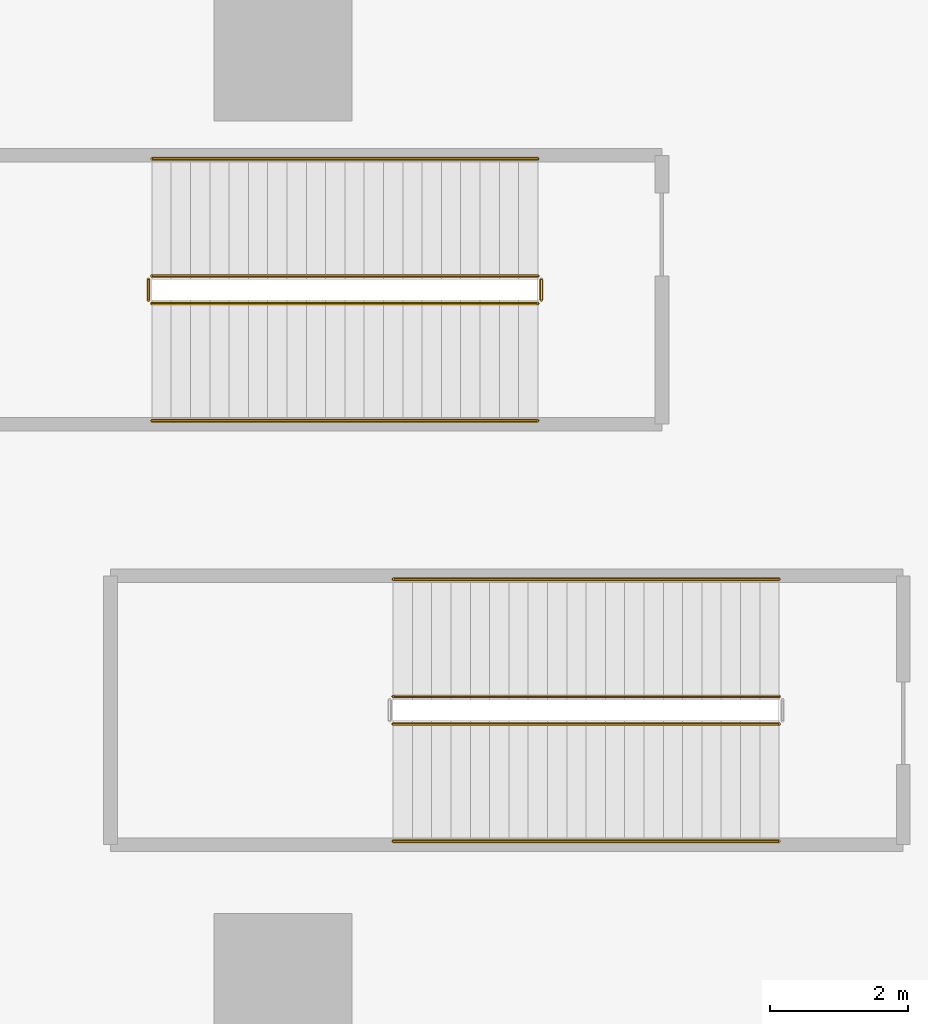
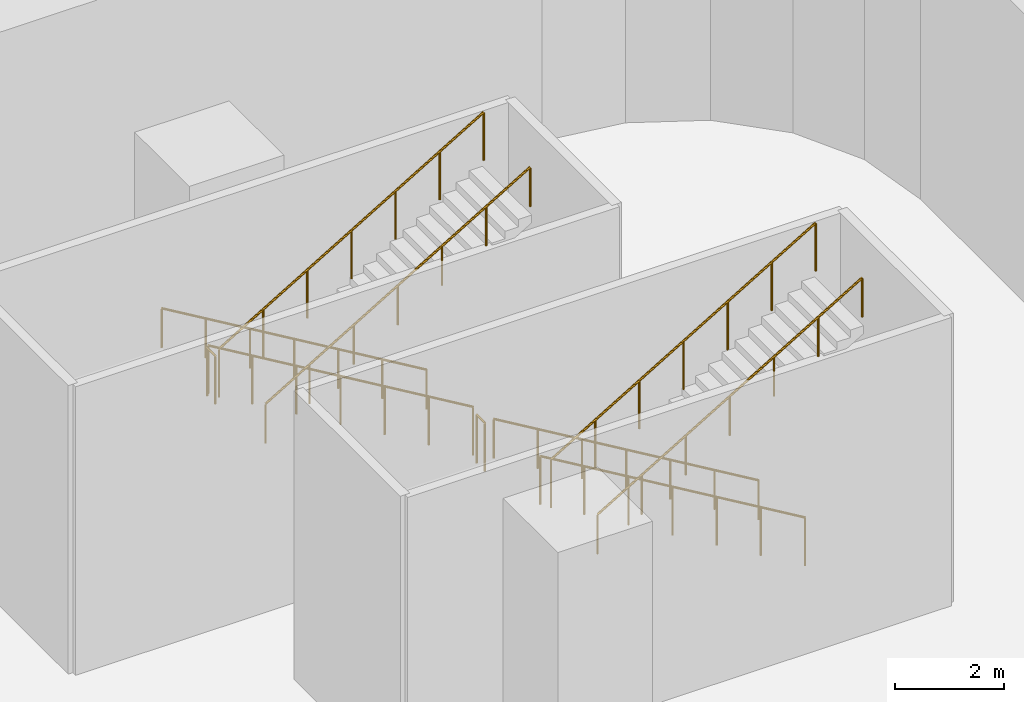
# One storey, part 35 of 37: 10 railings.
"""IFC4 building model written with IfcOpenShell, lengths in metres."""

from ifc_helpers import new_model, si_unit, direction, frame, origin, origin_2d, place, context, subcontext, project, spatial, circle, extrude, material, type_object, element, save


model = new_model("IFC4")

# Units and contexts
model_context = context("Model", 3, precision=1e-05, world=origin(), true_north=direction((0.0, 1.0)))
body_context = subcontext(model_context, "Body", "Model", "MODEL_VIEW")
ifc_project = project(units=[si_unit("LENGTHUNIT", "METRE"), si_unit("AREAUNIT", "SQUARE_METRE"), si_unit("VOLUMEUNIT", "CUBIC_METRE"), si_unit("PLANEANGLEUNIT", "RADIAN"), si_unit("MASSUNIT", "GRAM", prefix="KILO")], contexts=[model_context])

# Site, building, storey
site_placement = place(None, origin())
site = spatial("IfcSite", under=ifc_project, at=site_placement, CompositionType="ELEMENT")
building_placement = place(site_placement, origin())
building = spatial("IfcBuilding", under=site, at=building_placement, Name="Tamarind Cross Interchange Tower", CompositionType="ELEMENT")
storey_placement = place(building_placement, frame((0.0, 0.0, -7.0)))
storey = spatial("IfcBuildingStorey", under=building, at=storey_placement, Name="B1", CompositionType="ELEMENT", Elevation=-7.0)

# Railings
ifc_material_1 = material(Name="Public stair guard")
railing_type_1 = type_object("IfcRailingType", Name="Public stair guard", PredefinedType="GUARDRAIL", material=ifc_material_1)
railing_1_placement = place(storey_placement, frame((57.699951171875, 50.75, 0.166748046875)))
element("IfcRailing", 1, at=railing_1_placement, inside=storey, type_object=railing_type_1, Name="B1 XS-P01 stair guard 1", PredefinedType="GUARDRAIL", context=body_context, shape_type="SweptSolid", body=[
    extrude(circle(Radius=0.02392578125, at=origin_2d()), frame((0.0, 0.0, 1.076171875), z_axis=(-0.859292492371, 0.0, 0.511484518392), x_axis=(0.0, -1.0, 0.0)), (0.0, 0.0, 1.0), 6.516845703125),
    extrude(circle(Radius=0.02099609375, at=origin_2d()), origin(), (0.0, 0.0, 1.0), 1.052001953125),
    extrude(circle(Radius=0.02099609375, at=origin_2d()), frame((-0.933349609375, 0.0, 0.5556640625)), (0.0, 0.0, 1.0), 1.052001953125),
    extrude(circle(Radius=0.02099609375, at=origin_2d()), frame((-1.86669921875, 0.0, 1.111083984375)), (0.0, 0.0, 1.0), 1.052001953125),
    extrude(circle(Radius=0.02099609375, at=origin_2d()), frame((-2.7998046875, 0.0, 1.66650390625)), (0.0, 0.0, 1.0), 1.052001953125),
    extrude(circle(Radius=0.02099609375, at=origin_2d()), frame((-3.733154296875, 0.0, 2.22216796875)), (0.0, 0.0, 1.0), 1.052001953125),
    extrude(circle(Radius=0.02099609375, at=origin_2d()), frame((-4.66650390625, 0.0, 2.77783203125)), (0.0, 0.0, 1.0), 1.052001953125),
    extrude(circle(Radius=0.02099609375, at=origin_2d()), frame((-5.599853515625, 0.0, 3.333251953125)), (0.0, 0.0, 1.0), 1.052001953125),
])
railing_2_placement = place(storey_placement, frame((52.050048828125, 50.699951171875, 3.5)))
element("IfcRailing", 2, at=railing_2_placement, inside=storey, type_object=railing_type_1, Name="B1 XS-P01 stair guard 2", PredefinedType="GUARDRAIL", context=body_context, shape_type="SweptSolid", body=[
    extrude(circle(Radius=0.02392578125, at=origin_2d()), frame((0.0, 0.0, 1.076171875), z_axis=(0.0, -1.0, 0.0), x_axis=(1.0, 0.0, 0.0)), (0.0, 0.0, 1.0), 0.300048828125),
    extrude(circle(Radius=0.02099609375, at=origin_2d()), origin(), (0.0, 0.0, 1.0), 1.052001953125),
    extrude(circle(Radius=0.02099609375, at=origin_2d()), frame((0.0, -0.300048828125, 0.0)), (0.0, 0.0, 1.0), 1.052001953125),
])
railing_3_placement = place(storey_placement, frame((52.10009765625, 50.35009765625, 3.666748046875)))
element("IfcRailing", 3, at=railing_3_placement, inside=storey, type_object=railing_type_1, Name="B1 XS-P01 stair guard 3", PredefinedType="GUARDRAIL", context=body_context, shape_type="SweptSolid", body=[
    extrude(circle(Radius=0.02392578125, at=origin_2d()), frame((0.0, 0.0, 1.076171875), z_axis=(0.859292492371, 0.0, 0.511484518392), x_axis=(0.0, 1.0, 0.0)), (0.0, 0.0, 1.0), 6.516845703125),
    extrude(circle(Radius=0.02099609375, at=origin_2d()), origin(), (0.0, 0.0, 1.0), 1.052001953125),
    extrude(circle(Radius=0.02099609375, at=origin_2d()), frame((0.933349609375, 0.0, 0.5556640625)), (0.0, 0.0, 1.0), 1.052001953125),
    extrude(circle(Radius=0.02099609375, at=origin_2d()), frame((1.86669921875, 0.0, 1.111083984375)), (0.0, 0.0, 1.0), 1.052001953125),
    extrude(circle(Radius=0.02099609375, at=origin_2d()), frame((2.7998046875, 0.0, 1.66650390625)), (0.0, 0.0, 1.0), 1.052001953125),
    extrude(circle(Radius=0.02099609375, at=origin_2d()), frame((3.733154296875, 0.0, 2.22216796875)), (0.0, 0.0, 1.0), 1.052001953125),
    extrude(circle(Radius=0.02099609375, at=origin_2d()), frame((4.66650390625, 0.0, 2.77783203125)), (0.0, 0.0, 1.0), 1.052001953125),
    extrude(circle(Radius=0.02099609375, at=origin_2d()), frame((5.599853515625, 0.0, 3.333251953125)), (0.0, 0.0, 1.0), 1.052001953125),
])
railing_4_placement = place(storey_placement, frame((57.75, 50.699951171875, 0.0)))
element("IfcRailing", 4, at=railing_4_placement, inside=storey, type_object=railing_type_1, Name="B1 XS-P01 stair guard 4", PredefinedType="GUARDRAIL", context=body_context, shape_type="SweptSolid", body=[
    extrude(circle(Radius=0.02392578125, at=origin_2d()), frame((0.0, 0.0, 1.076171875), z_axis=(0.0, -1.0, 0.0), x_axis=(1.0, 0.0, 0.0)), (0.0, 0.0, 1.0), 0.300048828125),
    extrude(circle(Radius=0.02099609375, at=origin_2d()), origin(), (0.0, 0.0, 1.0), 1.052001953125),
    extrude(circle(Radius=0.02099609375, at=origin_2d()), frame((0.0, -0.300048828125, 0.0)), (0.0, 0.0, 1.0), 1.052001953125),
])
railing_5_placement = place(storey_placement, frame((61.199951171875, 44.64990234375, 0.166748046875)))
element("IfcRailing", 5, at=railing_5_placement, inside=storey, type_object=railing_type_1, Name="B1 XS-P02 stair guard 1", PredefinedType="GUARDRAIL", context=body_context, shape_type="SweptSolid", body=[
    extrude(circle(Radius=0.02392578125, at=origin_2d()), frame((0.0, 0.0, 1.076171875), z_axis=(-0.859292492371, 0.0, 0.511484518392), x_axis=(0.0, -1.0, 0.0)), (0.0, 0.0, 1.0), 6.516845703125),
    extrude(circle(Radius=0.02099609375, at=origin_2d()), origin(), (0.0, 0.0, 1.0), 1.052001953125),
    extrude(circle(Radius=0.02099609375, at=origin_2d()), frame((-0.933349609375, 0.0, 0.5556640625)), (0.0, 0.0, 1.0), 1.052001953125),
    extrude(circle(Radius=0.02099609375, at=origin_2d()), frame((-1.86669921875, 0.0, 1.111083984375)), (0.0, 0.0, 1.0), 1.052001953125),
    extrude(circle(Radius=0.02099609375, at=origin_2d()), frame((-2.7998046875, 0.0, 1.66650390625)), (0.0, 0.0, 1.0), 1.052001953125),
    extrude(circle(Radius=0.02099609375, at=origin_2d()), frame((-3.733154296875, 0.0, 2.22216796875)), (0.0, 0.0, 1.0), 1.052001953125),
    extrude(circle(Radius=0.02099609375, at=origin_2d()), frame((-4.66650390625, 0.0, 2.77783203125)), (0.0, 0.0, 1.0), 1.052001953125),
    extrude(circle(Radius=0.02099609375, at=origin_2d()), frame((-5.599853515625, 0.0, 3.333251953125)), (0.0, 0.0, 1.0), 1.052001953125),
])
railing_6_placement = place(storey_placement, frame((55.60009765625, 44.25, 3.666748046875)))
element("IfcRailing", 6, at=railing_6_placement, inside=storey, type_object=railing_type_1, Name="B1 XS-P02 stair guard 3", PredefinedType="GUARDRAIL", context=body_context, shape_type="SweptSolid", body=[
    extrude(circle(Radius=0.02392578125, at=origin_2d()), frame((0.0, 0.0, 1.076171875), z_axis=(0.859292492371, 0.0, 0.511484518392), x_axis=(0.0, 1.0, 0.0)), (0.0, 0.0, 1.0), 6.516845703125),
    extrude(circle(Radius=0.02099609375, at=origin_2d()), origin(), (0.0, 0.0, 1.0), 1.052001953125),
    extrude(circle(Radius=0.02099609375, at=origin_2d()), frame((0.933349609375, 0.0, 0.5556640625)), (0.0, 0.0, 1.0), 1.052001953125),
    extrude(circle(Radius=0.02099609375, at=origin_2d()), frame((1.86669921875, 0.0, 1.111083984375)), (0.0, 0.0, 1.0), 1.052001953125),
    extrude(circle(Radius=0.02099609375, at=origin_2d()), frame((2.7998046875, 0.0, 1.66650390625)), (0.0, 0.0, 1.0), 1.052001953125),
    extrude(circle(Radius=0.02099609375, at=origin_2d()), frame((3.733154296875, 0.0, 2.22216796875)), (0.0, 0.0, 1.0), 1.052001953125),
    extrude(circle(Radius=0.02099609375, at=origin_2d()), frame((4.66650390625, 0.0, 2.77783203125)), (0.0, 0.0, 1.0), 1.052001953125),
    extrude(circle(Radius=0.02099609375, at=origin_2d()), frame((5.599853515625, 0.0, 3.333251953125)), (0.0, 0.0, 1.0), 1.052001953125),
])
ifc_material_2 = material(Name="Public stair handrail")
railing_type_2 = type_object("IfcRailingType", Name="Public stair handrail", PredefinedType="HANDRAIL", material=ifc_material_2)
railing_7_placement = place(storey_placement, frame((57.699951171875, 52.449951171875, 0.166748046875)))
element("IfcRailing", 7, at=railing_7_placement, inside=storey, type_object=railing_type_2, Name="B1 XS-P01 stair handrail 1", PredefinedType="HANDRAIL", context=body_context, shape_type="SweptSolid", body=[
    extrude(circle(Radius=0.02392578125, at=origin_2d()), frame((0.0, 0.0, 0.8759765625), z_axis=(-0.859292492371, 0.0, 0.511484518392), x_axis=(0.0, -1.0, 0.0)), (0.0, 0.0, 1.0), 6.516845703125),
    extrude(circle(Radius=0.02099609375, at=origin_2d()), origin(), (0.0, 0.0, 1.0), 0.851806640625),
    extrude(circle(Radius=0.02099609375, at=origin_2d()), frame((-0.933349609375, 0.0, 0.5556640625)), (0.0, 0.0, 1.0), 0.851806640625),
    extrude(circle(Radius=0.02099609375, at=origin_2d()), frame((-1.86669921875, 0.0, 1.111083984375)), (0.0, 0.0, 1.0), 0.851806640625),
    extrude(circle(Radius=0.02099609375, at=origin_2d()), frame((-2.7998046875, 0.0, 1.66650390625)), (0.0, 0.0, 1.0), 0.851806640625),
    extrude(circle(Radius=0.02099609375, at=origin_2d()), frame((-3.733154296875, 0.0, 2.22216796875)), (0.0, 0.0, 1.0), 0.851806640625),
    extrude(circle(Radius=0.02099609375, at=origin_2d()), frame((-4.66650390625, 0.0, 2.77783203125)), (0.0, 0.0, 1.0), 0.851806640625),
    extrude(circle(Radius=0.02099609375, at=origin_2d()), frame((-5.599853515625, 0.0, 3.333251953125)), (0.0, 0.0, 1.0), 0.851806640625),
])
railing_8_placement = place(storey_placement, frame((52.10009765625, 48.64990234375, 3.666748046875)))
element("IfcRailing", 8, at=railing_8_placement, inside=storey, type_object=railing_type_2, Name="B1 XS-P01 stair handrail 2", PredefinedType="HANDRAIL", context=body_context, shape_type="SweptSolid", body=[
    extrude(circle(Radius=0.02392578125, at=origin_2d()), frame((0.0, 0.0, 0.8759765625), z_axis=(0.859292492371, 0.0, 0.511484518392), x_axis=(0.0, 1.0, 0.0)), (0.0, 0.0, 1.0), 6.516845703125),
    extrude(circle(Radius=0.02099609375, at=origin_2d()), origin(), (0.0, 0.0, 1.0), 0.851806640625),
    extrude(circle(Radius=0.02099609375, at=origin_2d()), frame((0.933349609375, 0.0, 0.5556640625)), (0.0, 0.0, 1.0), 0.851806640625),
    extrude(circle(Radius=0.02099609375, at=origin_2d()), frame((1.86669921875, 0.0, 1.111083984375)), (0.0, 0.0, 1.0), 0.851806640625),
    extrude(circle(Radius=0.02099609375, at=origin_2d()), frame((2.7998046875, 0.0, 1.66650390625)), (0.0, 0.0, 1.0), 0.851806640625),
    extrude(circle(Radius=0.02099609375, at=origin_2d()), frame((3.733154296875, 0.0, 2.22216796875)), (0.0, 0.0, 1.0), 0.851806640625),
    extrude(circle(Radius=0.02099609375, at=origin_2d()), frame((4.66650390625, 0.0, 2.77783203125)), (0.0, 0.0, 1.0), 0.851806640625),
    extrude(circle(Radius=0.02099609375, at=origin_2d()), frame((5.599853515625, 0.0, 3.333251953125)), (0.0, 0.0, 1.0), 0.851806640625),
])
railing_9_placement = place(storey_placement, frame((61.199951171875, 46.35009765625, 0.166748046875)))
element("IfcRailing", 9, at=railing_9_placement, inside=storey, type_object=railing_type_2, Name="B1 XS-P02 stair handrail 1", PredefinedType="HANDRAIL", context=body_context, shape_type="SweptSolid", body=[
    extrude(circle(Radius=0.02392578125, at=origin_2d()), frame((0.0, 0.0, 0.8759765625), z_axis=(-0.859292492371, 0.0, 0.511484518392), x_axis=(0.0, -1.0, 0.0)), (0.0, 0.0, 1.0), 6.516845703125),
    extrude(circle(Radius=0.02099609375, at=origin_2d()), origin(), (0.0, 0.0, 1.0), 0.851806640625),
    extrude(circle(Radius=0.02099609375, at=origin_2d()), frame((-0.933349609375, 0.0, 0.5556640625)), (0.0, 0.0, 1.0), 0.851806640625),
    extrude(circle(Radius=0.02099609375, at=origin_2d()), frame((-1.86669921875, 0.0, 1.111083984375)), (0.0, 0.0, 1.0), 0.851806640625),
    extrude(circle(Radius=0.02099609375, at=origin_2d()), frame((-2.7998046875, 0.0, 1.66650390625)), (0.0, 0.0, 1.0), 0.851806640625),
    extrude(circle(Radius=0.02099609375, at=origin_2d()), frame((-3.733154296875, 0.0, 2.22216796875)), (0.0, 0.0, 1.0), 0.851806640625),
    extrude(circle(Radius=0.02099609375, at=origin_2d()), frame((-4.66650390625, 0.0, 2.77783203125)), (0.0, 0.0, 1.0), 0.851806640625),
    extrude(circle(Radius=0.02099609375, at=origin_2d()), frame((-5.599853515625, 0.0, 3.333251953125)), (0.0, 0.0, 1.0), 0.851806640625),
])
railing_10_placement = place(storey_placement, frame((55.60009765625, 42.550048828125, 3.666748046875)))
element("IfcRailing", 10, at=railing_10_placement, inside=storey, type_object=railing_type_2, Name="B1 XS-P02 stair handrail 2", PredefinedType="HANDRAIL", context=body_context, shape_type="SweptSolid", body=[
    extrude(circle(Radius=0.02392578125, at=origin_2d()), frame((0.0, 0.0, 0.8759765625), z_axis=(0.859292492371, 0.0, 0.511484518392), x_axis=(0.0, 1.0, 0.0)), (0.0, 0.0, 1.0), 6.516845703125),
    extrude(circle(Radius=0.02099609375, at=origin_2d()), origin(), (0.0, 0.0, 1.0), 0.851806640625),
    extrude(circle(Radius=0.02099609375, at=origin_2d()), frame((0.933349609375, 0.0, 0.5556640625)), (0.0, 0.0, 1.0), 0.851806640625),
    extrude(circle(Radius=0.02099609375, at=origin_2d()), frame((1.86669921875, 0.0, 1.111083984375)), (0.0, 0.0, 1.0), 0.851806640625),
    extrude(circle(Radius=0.02099609375, at=origin_2d()), frame((2.7998046875, 0.0, 1.66650390625)), (0.0, 0.0, 1.0), 0.851806640625),
    extrude(circle(Radius=0.02099609375, at=origin_2d()), frame((3.733154296875, 0.0, 2.22216796875)), (0.0, 0.0, 1.0), 0.851806640625),
    extrude(circle(Radius=0.02099609375, at=origin_2d()), frame((4.66650390625, 0.0, 2.77783203125)), (0.0, 0.0, 1.0), 0.851806640625),
    extrude(circle(Radius=0.02099609375, at=origin_2d()), frame((5.599853515625, 0.0, 3.333251953125)), (0.0, 0.0, 1.0), 0.851806640625),
])

save(model, "model.ifc")
